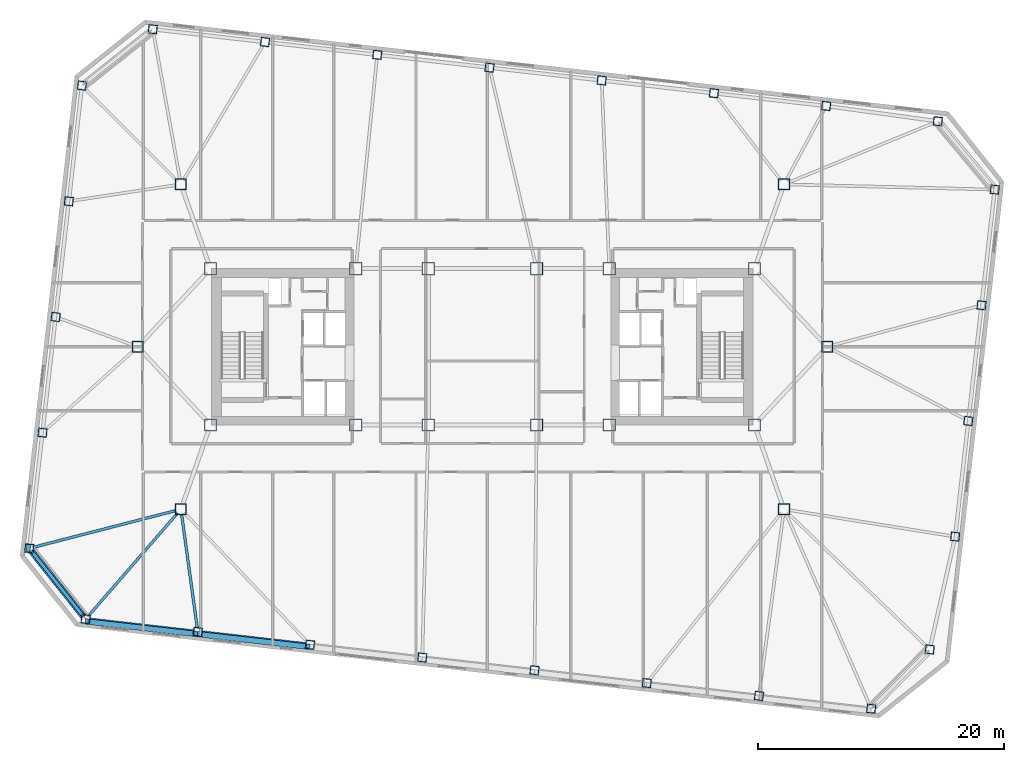
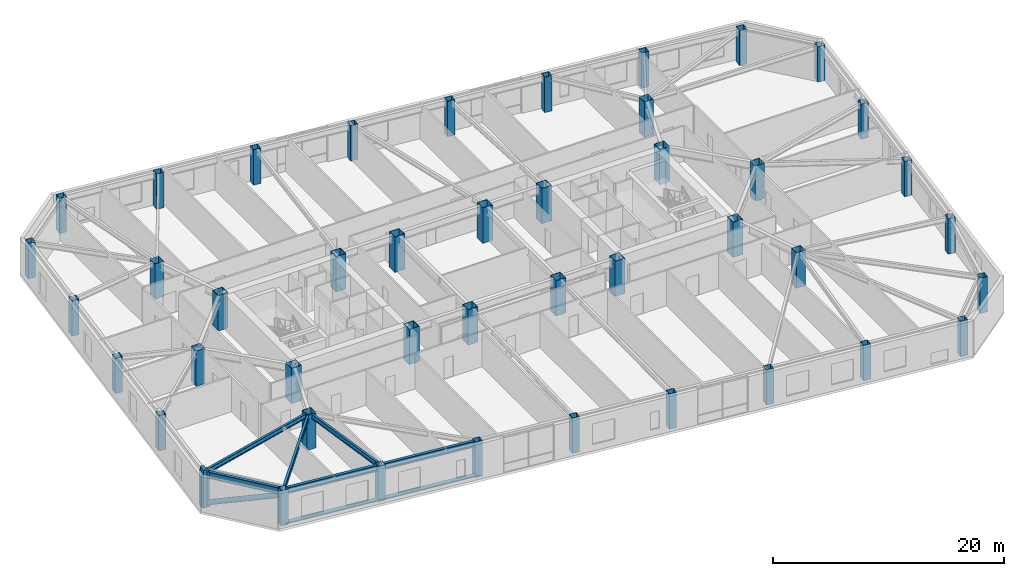
# One storey, part 1 of 21: 44 columns, 6 beams, 4 members.
"""IFC4 building model written with IfcOpenShell, lengths in metres."""

from ifc_helpers import new_model, si_unit, direction, frame, origin, origin_2d, place, context, subcontext, project, spatial, rectangle, hollow_rectangle, hollow_circle, i_section, extrude, material, material_profile, profile_set, type_object, element, save


model = new_model("IFC4")

# Units and contexts
model_context = context("Model", 3, precision=1e-05, world=origin(), true_north=direction((0.0, 1.0)))
body_context = subcontext(model_context, "Body", "Model", "MODEL_VIEW")
ifc_project = project(units=[si_unit("LENGTHUNIT", "METRE"), si_unit("AREAUNIT", "SQUARE_METRE"), si_unit("VOLUMEUNIT", "CUBIC_METRE"), si_unit("PLANEANGLEUNIT", "RADIAN"), si_unit("MASSUNIT", "GRAM", prefix="KILO")], contexts=[model_context])

# Site, building, storey
site_placement = place(None, origin())
site = spatial("IfcSite", under=ifc_project, at=site_placement, CompositionType="ELEMENT")
building_placement = place(site_placement, origin())
building = spatial("IfcBuilding", under=site, at=building_placement, Name="Tavrogorsk Clinical Tower", CompositionType="ELEMENT")
storey_placement = place(building_placement, frame((0.0, 0.0, 133.39990234375)))
storey = spatial("IfcBuildingStorey", under=building, at=storey_placement, Name="L30", CompositionType="ELEMENT", Elevation=133.39990234375)

# Columns
ifc_material_1 = material(Name="Structural steel S440", Category="steel")
ifc_material_profile_1 = material_profile(ifc_material_1, hollow_rectangle(XDim=1.0, YDim=1.0, WallThickness=0.044921875, at=origin_2d()), Name="BOX-1000x1000x45")
ifc_profile_set_1 = profile_set([ifc_material_profile_1], Name="Structural steel S440")
column_type_1 = type_object("IfcColumnType", Name="MegaCol_BOX1000", PredefinedType="COLUMN", material=ifc_profile_set_1)
for number, where, z_axis, x_axis, name in (
    (1, (-22.10009765625, -6.35009765625, 0.0), (0.0, 0.0, 1.0), (1.0, 0.0, 0.0), "L30 Mega Column MC-W1"),
    (2, (-22.10009765625, 6.35009765625, 0.0), (0.0, 0.0, 1.0), (1.0, 0.0, 0.0), "L30 Mega Column MC-W2"),
    (3, (-10.300048828125, -6.35009765625, 0.0), (0.0, 0.0, 1.0), (1.0, 0.0, 0.0), "L30 Mega Column MC-W3"),
    (4, (-10.300048828125, 6.35009765625, 0.0), (0.0, 0.0, 1.0), (1.0, 0.0, 0.0), "L30 Mega Column MC-W4"),
    (5, (10.300048828125, -6.35009765625, 0.0), (0.0, 0.0, 1.0), (1.0, 0.0, 0.0), "L30 Mega Column MC-E1"),
    (6, (10.300048828125, 6.35009765625, 0.0), (0.0, 0.0, 1.0), (1.0, 0.0, 0.0), "L30 Mega Column MC-E2"),
    (7, (22.10009765625, -6.35009765625, 0.0), (0.0, 0.0, 1.0), (1.0, 0.0, 0.0), "L30 Mega Column MC-E3"),
    (8, (22.10009765625, 6.35009765625, 0.0), (0.0, 0.0, 1.0), (1.0, 0.0, 0.0), "L30 Mega Column MC-E4"),
    (9, (-4.39990234375, -6.35009765625, 0.0), (0.0, 0.0, 1.0), (1.0, 0.0, 0.0), "L30 Mega Column MC-C1"),
    (10, (4.39990234375, -6.35009765625, 0.0), (0.0, 0.0, 1.0), (1.0, 0.0, 0.0), "L30 Mega Column MC-C2"),
    (11, (-4.39990234375, 6.35009765625, 0.0), (0.0, 0.0, 1.0), (1.0, 0.0, 0.0), "L30 Mega Column MC-C3"),
    (12, (4.39990234375, 6.35009765625, 0.0), (0.0, 0.0, 1.0), (1.0, 0.0, 0.0), "L30 Mega Column MC-C4"),
):
    element("IfcColumn", number, at=place(storey_placement, frame(where, z_axis=z_axis, x_axis=x_axis)), inside=storey, type_object=column_type_1, Name=name, PredefinedType="COLUMN", context=body_context, shape_type="SweptSolid", body=[
        extrude(hollow_rectangle(XDim=1.0, YDim=1.0, WallThickness=0.044921875, at=origin_2d()), origin(), (0.0, 0.0, 1.0), 3.739990234375),
    ])
ifc_material_2 = material(Name="Structural steel S440", Category="steel")
ifc_material_profile_2 = material_profile(ifc_material_2, hollow_rectangle(XDim=0.89990234375, YDim=0.89990234375, WallThickness=0.0400390625, at=origin_2d()), Name="BOX-900x900x40")
ifc_profile_set_2 = profile_set([ifc_material_profile_2], Name="Structural steel S440")
column_type_2 = type_object("IfcColumnType", Name="MegaCol_BOX900", PredefinedType="COLUMN", material=ifc_profile_set_2)
for number, where, z_axis, x_axis, name in (
    (13, (-24.5, -13.199951171875, 0.0), (0.0, 0.0, 1.0), (1.0, 0.0, 0.0), "L30 Spine Pilotis Column MC-P1"),
    (14, (24.5, -13.199951171875, 0.0), (0.0, 0.0, 1.0), (1.0, 0.0, 0.0), "L30 Spine Pilotis Column MC-P2"),
    (15, (-24.5, 13.199951171875, 0.0), (0.0, 0.0, 1.0), (1.0, 0.0, 0.0), "L30 Spine Pilotis Column MC-P3"),
    (16, (24.5, 13.199951171875, 0.0), (0.0, 0.0, 1.0), (1.0, 0.0, 0.0), "L30 Spine Pilotis Column MC-P4"),
    (17, (-28.0, 0.0, 0.0), (0.0, 0.0, 1.0), (1.0, 0.0, 0.0), "L30 Spine Pilotis Column MC-P5"),
    (18, (28.0, 0.0, 0.0), (0.0, 0.0, 1.0), (1.0, 0.0, 0.0), "L30 Spine Pilotis Column MC-P6"),
):
    element("IfcColumn", number, at=place(storey_placement, frame(where, z_axis=z_axis, x_axis=x_axis)), inside=storey, type_object=column_type_2, Name=name, PredefinedType="COLUMN", context=body_context, shape_type="SweptSolid", body=[
        extrude(hollow_rectangle(XDim=0.89990234375, YDim=0.89990234375, WallThickness=0.0400390625, at=origin_2d()), origin(), (0.0, 0.0, 1.0), 3.739990234375),
    ])
ifc_material_3 = material(Name="Structural steel S440", Category="steel")
ifc_material_profile_3 = material_profile(ifc_material_3, hollow_rectangle(XDim=0.699951171875, YDim=0.699951171875, WallThickness=0.031982421875, at=origin_2d()), Name="BOX-700x700x32")
ifc_profile_set_3 = profile_set([ifc_material_profile_3], Name="Structural steel S440")
column_type_3 = type_object("IfcColumnType", Name="PerimCol_B2_BOX700", PredefinedType="COLUMN", material=ifc_profile_set_3)
for number, where, z_axis, x_axis, name in (
    (19, (-32.243896484375, -22.12890625, 0.0), (0.0, 0.0, 1.0), (0.993571855677, -0.113203213768, 0.0), "L30 Perimeter Column S1"),
    (20, (-23.1259765625, -23.167724609375, 0.0), (0.0, 0.0, 1.0), (0.993571855677, -0.113203213768, 0.0), "L30 Perimeter Column S2"),
    (21, (-14.0078125, -24.20654296875, 0.0), (0.0, 0.0, 1.0), (0.993571855677, -0.113203213768, 0.0), "L30 Perimeter Column S3"),
    (22, (-4.8896484375, -25.24560546875, 0.0), (0.0, 0.0, 1.0), (0.993571855677, -0.113203213768, 0.0), "L30 Perimeter Column S4"),
    (23, (4.228515625, -26.284423828125, 0.0), (0.0, 0.0, 1.0), (0.993571855677, -0.113203213768, 0.0), "L30 Perimeter Column S5"),
    (24, (13.3466796875, -27.3232421875, 0.0), (0.0, 0.0, 1.0), (0.993571855677, -0.113203213768, 0.0), "L30 Perimeter Column S6"),
    (25, (22.465087890625, -28.3623046875, 0.0), (0.0, 0.0, 1.0), (0.993571855677, -0.113203213768, 0.0), "L30 Perimeter Column S7"),
    (26, (31.5830078125, -29.40087890625, 0.0), (0.0, 0.0, 1.0), (0.993571855677, -0.113203213768, 0.0), "L30 Perimeter Column S8"),
    (27, (36.99658203125, 18.323486328125, 0.0), (0.0, 0.0, 1.0), (0.993571855677, -0.113203213768, 0.0), "L30 Perimeter Column N1"),
    (28, (27.92578125, 19.567626953125, 0.0), (0.0, 0.0, 1.0), (0.993571855677, -0.113203213768, 0.0), "L30 Perimeter Column N2"),
    (29, (18.8076171875, 20.606689453125, 0.0), (0.0, 0.0, 1.0), (0.993571855677, -0.113203213768, 0.0), "L30 Perimeter Column N3"),
    (30, (9.689697265625, 21.6455078125, 0.0), (0.0, 0.0, 1.0), (0.993571855677, -0.113203213768, 0.0), "L30 Perimeter Column N4"),
    (31, (0.5712890625, 22.684326171875, 0.0), (0.0, 0.0, 1.0), (0.993571855677, -0.113203213768, 0.0), "L30 Perimeter Column N5"),
    (32, (-8.546875, 23.723388671875, 0.0), (0.0, 0.0, 1.0), (0.993571855677, -0.113203213768, 0.0), "L30 Perimeter Column N6"),
    (33, (-17.6650390625, 24.76220703125, 0.0), (0.0, 0.0, 1.0), (0.993571855677, -0.113203213768, 0.0), "L30 Perimeter Column N7"),
    (34, (-26.783203125, 25.801025390625, 0.0), (0.0, 0.0, 1.0), (0.993571855677, -0.113203213768, 0.0), "L30 Perimeter Column N8"),
    (35, (36.335693359375, -24.591796875, 0.0), (0.0, 0.0, 1.0), (0.993571855677, -0.113203213768, 0.0), "L30 Perimeter Column E1"),
    (36, (38.4091796875, -15.423828125, 0.0), (0.0, 0.0, 1.0), (0.993571855677, -0.113203213768, 0.0), "L30 Perimeter Column E2"),
    (37, (39.47998046875, -6.024658203125, 0.0), (0.0, 0.0, 1.0), (0.993571855677, -0.113203213768, 0.0), "L30 Perimeter Column E3"),
    (38, (40.551025390625, 3.37451171875, 0.0), (0.0, 0.0, 1.0), (0.993571855677, -0.113203213768, 0.0), "L30 Perimeter Column E4"),
    (39, (41.621826171875, 12.773681640625, 0.0), (0.0, 0.0, 1.0), (0.993571855677, -0.113203213768, 0.0), "L30 Perimeter Column E5"),
    (40, (-32.538330078125, 21.22314453125, 0.0), (0.0, 0.0, 1.0), (0.993571855677, -0.113203213768, 0.0), "L30 Perimeter Column W1"),
    (41, (-33.609130859375, 11.823974609375, 0.0), (0.0, 0.0, 1.0), (0.993571855677, -0.113203213768, 0.0), "L30 Perimeter Column W2"),
    (42, (-34.68017578125, 2.4248046875, 0.0), (0.0, 0.0, 1.0), (0.993571855677, -0.113203213768, 0.0), "L30 Perimeter Column W3"),
    (43, (-35.7509765625, -6.974365234375, 0.0), (0.0, 0.0, 1.0), (0.993571855677, -0.113203213768, 0.0), "L30 Perimeter Column W4"),
    (44, (-36.822021484375, -16.37353515625, 0.0), (0.0, 0.0, 1.0), (0.993571855677, -0.113203213768, 0.0), "L30 Perimeter Column W5"),
):
    element("IfcColumn", number, at=place(storey_placement, frame(where, z_axis=z_axis, x_axis=x_axis)), inside=storey, type_object=column_type_3, Name=name, PredefinedType="COLUMN", context=body_context, shape_type="SweptSolid", body=[
        extrude(hollow_rectangle(XDim=0.699951171875, YDim=0.699951171875, WallThickness=0.031982421875, at=origin_2d()), origin(), (0.0, 0.0, 1.0), 3.739990234375),
    ])

# Members
ifc_material_4 = material(Name="Anodised aluminium alloy AW-6063", Category="aluminium")
ifc_material_profile_4 = material_profile(ifc_material_4, rectangle(XDim=0.449951171875, YDim=0.1201171875, at=origin_2d()), Name="ALU-SUNSHADE-450x120")
ifc_profile_set_4 = profile_set([ifc_material_profile_4], Name="Anodised aluminium alloy AW-6063")
member_type_1 = type_object("IfcMemberType", Name="ChicagoSunshade_450x120", PredefinedType="USERDEFINED", material=ifc_profile_set_4)
for number, where, z_axis, x_axis, name in (
    (45, (-32.264404296875, -22.3076171875, 0.18017578125), (0.993572654864, -0.113196199166, 0.0), (0.113196199166, 0.993572654864, 0.0), "L30 South Aluminium Sunshade S1"),
    (46, (-23.146240234375, -23.346435546875, 0.18017578125), (0.993569662511, -0.113222461274, 0.0), (0.113222461274, 0.993569662511, 0.0), "L30 South Aluminium Sunshade S2"),
):
    element("IfcMember", number, at=place(storey_placement, frame(where, z_axis=z_axis, x_axis=x_axis)), inside=storey, type_object=member_type_1, Name=name, ObjectType="SUNSHADE", PredefinedType="USERDEFINED", context=body_context, shape_type="SweptSolid", body=[
        extrude(rectangle(XDim=0.449951171875, YDim=0.1201171875, at=origin_2d()), origin(), (0.0, 0.0, 1.0), 9.17724609375),
    ])
ifc_material_5 = material(Name="Structural steel S440", Category="steel")
ifc_material_profile_5 = material_profile(ifc_material_5, hollow_circle(Radius=0.25390625, WallThickness=0.02001953125, at=origin_2d()), Name="CHS-508x20")
ifc_profile_set_5 = profile_set([ifc_material_profile_5], Name="Structural steel S440")
member_type_2 = type_object("IfcMemberType", Name="ExoBrace_CHS508", PredefinedType="BRACE", material=ifc_profile_set_5)
member_1_placement = place(storey_placement, frame((-36.613037109375, -16.63623046875, 0.425048828125), z_axis=(0.583326985798, -0.73336936718, 0.349140371371), x_axis=(0.782619256143, 0.622500682662, 0.0)))
element("IfcMember", 47, at=member_1_placement, inside=storey, type_object=member_type_2, Name="L30 Corner Exoskeleton Brace W5-S1", PredefinedType="BRACE", context=body_context, shape_type="SweptSolid", body=[
    extrude(hollow_circle(Radius=0.25390625, WallThickness=0.02001953125, at=origin_2d()), origin(), (0.0, 0.0, 1.0), 7.1318359375),
])

# Beams
ifc_material_6 = material(Name="Structural steel S355", Category="steel")
ifc_material_profile_6 = material_profile(ifc_material_6, i_section(OverallWidth=0.219970703125, OverallDepth=0.5, WebThickness=0.012939453125, FlangeThickness=0.02001953125, at=origin_2d()), Name="B-500x220x13x20")
ifc_profile_set_6 = profile_set([ifc_material_profile_6], Name="Structural steel S355")
beam_type_1 = type_object("IfcBeamType", Name="FloorBeam_B500", PredefinedType="BEAM", material=ifc_profile_set_6)
beam_1_placement = place(storey_placement, frame((-24.7685546875, -13.509765625, 3.489990234375), z_axis=(-0.655213926096, -0.755443387058, 0.0), x_axis=(0.755443387058, -0.655213926096, 0.0)))
element("IfcBeam", 48, at=beam_1_placement, inside=storey, type_object=beam_type_1, Name="L30 Radial Floor Beam S1", PredefinedType="BEAM", context=body_context, shape_type="SweptSolid", body=[
    extrude(i_section(OverallWidth=0.219970703125, OverallDepth=0.5, WebThickness=0.012939453125, FlangeThickness=0.02001953125, at=origin_2d()), origin(), (0.0, 0.0, 1.0), 11.05126953125),
])
beam_2_placement = place(storey_placement, frame((-24.444091796875, -13.606201171875, 3.489990234375), z_axis=(0.136572505989, -0.990630077581, 0.0), x_axis=(0.990630077581, 0.136572505989, 0.0)))
element("IfcBeam", 49, at=beam_2_placement, inside=storey, type_object=beam_type_1, Name="L30 Radial Floor Beam S2", PredefinedType="BEAM", context=body_context, shape_type="SweptSolid", body=[
    extrude(i_section(OverallWidth=0.219970703125, OverallDepth=0.5, WebThickness=0.012939453125, FlangeThickness=0.02001953125, at=origin_2d()), origin(), (0.0, 0.0, 1.0), 9.2939453125),
])
beam_3_placement = place(storey_placement, frame((-24.89697265625, -13.30224609375, 3.489990234375), z_axis=(-0.968393085087, -0.24942901346, 0.0), x_axis=(0.24942901346, -0.968393085087, 0.0)))
element("IfcBeam", 50, at=beam_3_placement, inside=storey, type_object=beam_type_1, Name="L30 Radial Floor Beam W5", PredefinedType="BEAM", context=body_context, shape_type="SweptSolid", body=[
    extrude(i_section(OverallWidth=0.219970703125, OverallDepth=0.5, WebThickness=0.012939453125, FlangeThickness=0.02001953125, at=origin_2d()), origin(), (0.0, 0.0, 1.0), 11.9560546875),
])

# Member
ifc_material_7 = material(Name="Precast concrete B45 with limestone cladding", Category="masonry")
ifc_material_profile_7 = material_profile(ifc_material_7, rectangle(XDim=0.320068359375, YDim=0.719970703125, at=origin_2d()), Name="LIMESTONE-FIN-320x720")
ifc_profile_set_7 = profile_set([ifc_material_profile_7], Name="Precast concrete B45 with limestone cladding")
member_type_3 = type_object("IfcMemberType", Name="LimestonePleatFin_320x720", PredefinedType="USERDEFINED", material=ifc_profile_set_7)
member_2_placement = place(storey_placement, frame((-36.9013671875, -16.364501953125, 0.0), z_axis=(0.0, 0.0, 1.0), x_axis=(0.993571855677, -0.113203213768, 0.0)))
element("IfcMember", 51, at=member_2_placement, inside=storey, type_object=member_type_3, Name="L30 W Pleated Stone Fin 4", ObjectType="FIN", PredefinedType="USERDEFINED", context=body_context, shape_type="SweptSolid", body=[
    extrude(rectangle(XDim=0.320068359375, YDim=0.719970703125, at=origin_2d()), origin(), (0.0, 0.0, 1.0), 4.0),
])

# Beams
ifc_material_8 = material(Name="Structural steel S390", Category="steel")
ifc_material_profile_8 = material_profile(ifc_material_8, i_section(OverallWidth=0.280029296875, OverallDepth=0.64990234375, WebThickness=0.01611328125, FlangeThickness=0.02490234375, at=origin_2d()), Name="B-650x280x16x25")
ifc_profile_set_8 = profile_set([ifc_material_profile_8], Name="Structural steel S390")
beam_type_2 = type_object("IfcBeamType", Name="SpandrelBeam_B650", PredefinedType="SPANDREL", material=ifc_profile_set_8)
beam_4_placement = place(storey_placement, frame((-31.88818359375, -22.16943359375, 3.4150390625), z_axis=(0.99357232562, -0.113199089054, 0.0), x_axis=(0.113199089054, 0.99357232562, 0.0)))
element("IfcBeam", 52, at=beam_4_placement, inside=storey, type_object=beam_type_2, Name="L30 Perimeter Spandrel S1-S2", PredefinedType="SPANDREL", context=body_context, shape_type="SweptSolid", body=[
    extrude(i_section(OverallWidth=0.280029296875, OverallDepth=0.64990234375, WebThickness=0.01611328125, FlangeThickness=0.02490234375, at=origin_2d()), origin(), (0.0, 0.0, 1.0), 8.4609375),
])
beam_5_placement = place(storey_placement, frame((-22.770263671875, -23.208251953125, 3.4150390625), z_axis=(0.99357306506, -0.113192598642, 0.0), x_axis=(0.113192598642, 0.99357306506, 0.0)))
element("IfcBeam", 53, at=beam_5_placement, inside=storey, type_object=beam_type_2, Name="L30 Perimeter Spandrel S2-S3", PredefinedType="SPANDREL", context=body_context, shape_type="SweptSolid", body=[
    extrude(i_section(OverallWidth=0.280029296875, OverallDepth=0.64990234375, WebThickness=0.01611328125, FlangeThickness=0.02490234375, at=origin_2d()), origin(), (0.0, 0.0, 1.0), 8.46142578125),
])
beam_6_placement = place(storey_placement, frame((-36.59912109375, -16.65380859375, 3.4150390625), z_axis=(0.622530733212, -0.782595352788, 0.0), x_axis=(0.782595352788, 0.622530733212, 0.0)))
element("IfcBeam", 54, at=beam_6_placement, inside=storey, type_object=beam_type_2, Name="L30 Perimeter Spandrel W5-S1", PredefinedType="SPANDREL", context=body_context, shape_type="SweptSolid", body=[
    extrude(i_section(OverallWidth=0.280029296875, OverallDepth=0.64990234375, WebThickness=0.01611328125, FlangeThickness=0.02490234375, at=origin_2d()), origin(), (0.0, 0.0, 1.0), 6.637939453125),
])

save(model, "model.ifc")
